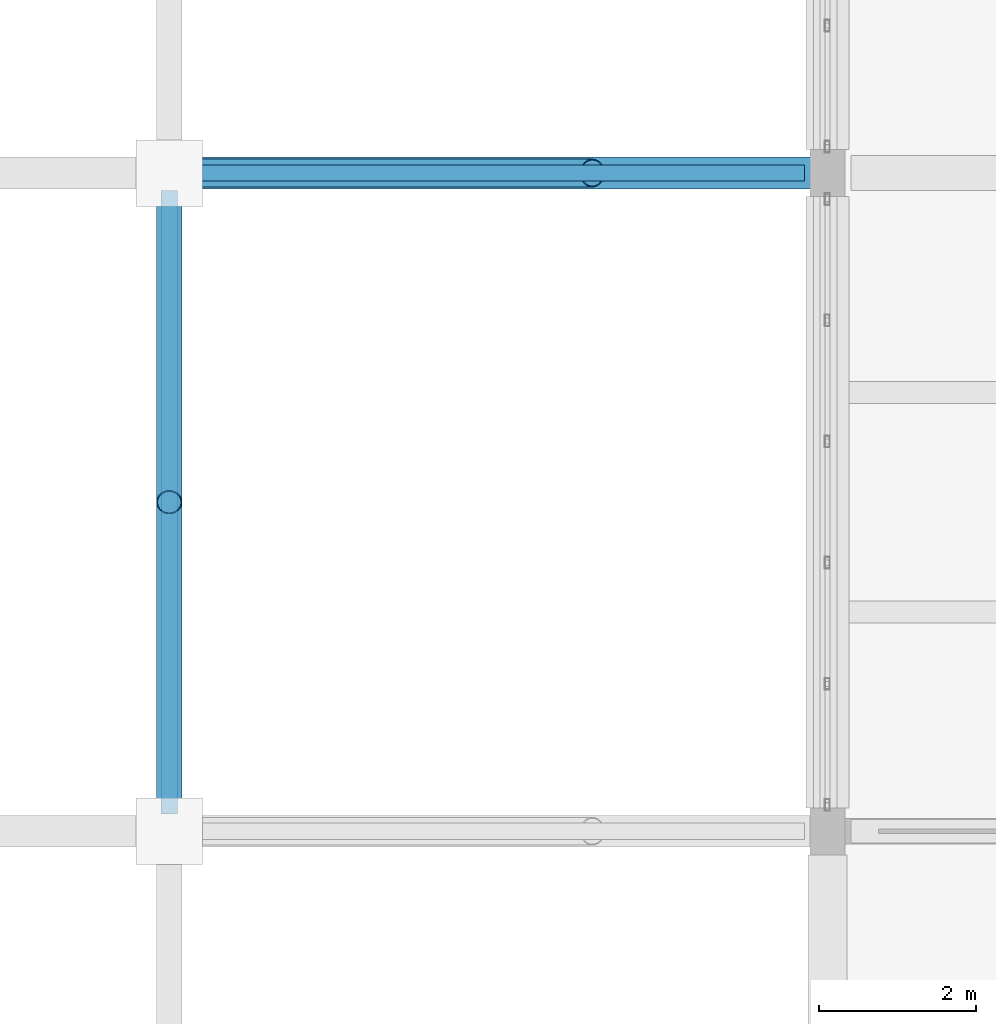
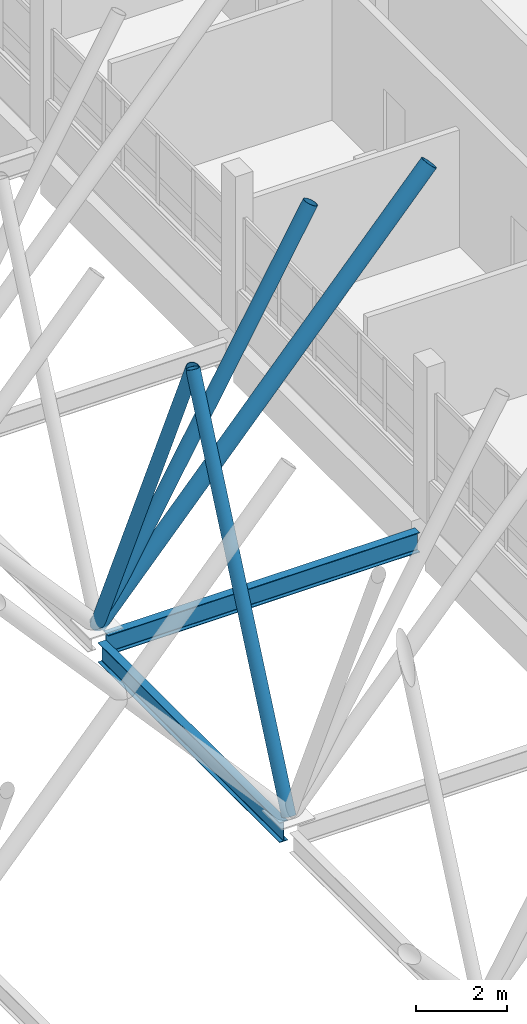
# One storey, part 12 of 107: 4 members, 2 beams.
"""IFC4 building model written with IfcOpenShell, lengths in metres."""

from ifc_helpers import new_model, si_unit, direction, frame, origin, origin_2d, place, context, subcontext, project, spatial, hollow_circle, i_section, extrude, material, material_profile, profile_set, type_object, element, save


model = new_model("IFC4")

# Units and contexts
model_context = context("Model", 3, precision=1e-05, world=origin(), true_north=direction((0.0, 1.0)))
body_context = subcontext(model_context, "Body", "Model", "MODEL_VIEW")
ifc_project = project(units=[si_unit("LENGTHUNIT", "METRE"), si_unit("AREAUNIT", "SQUARE_METRE"), si_unit("VOLUMEUNIT", "CUBIC_METRE"), si_unit("PLANEANGLEUNIT", "RADIAN"), si_unit("MASSUNIT", "GRAM", prefix="KILO")], contexts=[model_context])

# Site, building, storey
site_placement = place(None, origin())
site = spatial("IfcSite", under=ifc_project, at=site_placement, CompositionType="ELEMENT")
building_placement = place(site_placement, origin())
building = spatial("IfcBuilding", under=site, at=building_placement, Name="Vireocrest Preparatory School", CompositionType="ELEMENT")
storey_placement = place(building_placement, frame((0.0, 0.0, 13.199951171875)))
storey = spatial("IfcBuildingStorey", under=building, at=storey_placement, Name="L03", CompositionType="ELEMENT", Elevation=13.199951171875)

# Beams
ifc_material_1 = material(Name="Structural steel ASTM A992 Grade 50", Category="steel")
ifc_material_profile_1 = material_profile(ifc_material_1, i_section(OverallWidth=0.208984375, OverallDepth=0.532958984375, WebThickness=0.01025390625, FlangeThickness=0.015625, FilletRadius=0.014892578125, at=origin_2d()), Name="W21X62")
ifc_profile_set_1 = profile_set([ifc_material_profile_1], Name="Structural steel ASTM A992 Grade 50")
beam_type = type_object("IfcBeamType", Name="Court Tie Girder W21X62", PredefinedType="BEAM", material=ifc_profile_set_1)
beam_1_placement = place(storey_placement, frame((84.2236328125, 43.800048828125, -0.56640625), z_axis=(1.0, 0.0, 0.0), x_axis=(0.0, 1.0, 0.0)))
element("IfcBeam", 1, at=beam_1_placement, inside=storey, type_object=beam_type, Name="Court Trunk Lateral Tie Girder SB5 E3 L03", PredefinedType="BEAM", context=body_context, shape_type="SweptSolid", body=[
    extrude(i_section(OverallWidth=0.208984375, OverallDepth=0.532958984375, WebThickness=0.01025390625, FlangeThickness=0.015625, FilletRadius=0.014892578125, at=origin_2d()), origin(), (0.0, 0.0, 1.0), 7.88134765625),
])
beam_2_placement = place(storey_placement, frame((84.0, 35.6201171875, -0.56640625), z_axis=(0.0, 1.0, 0.0), x_axis=(-1.0, 0.0, 0.0)))
element("IfcBeam", 2, at=beam_2_placement, inside=storey, type_object=beam_type, Name="Court Trunk Spine Girder SB5 E2 L03", PredefinedType="BEAM", context=body_context, shape_type="SweptSolid", body=[
    extrude(i_section(OverallWidth=0.208984375, OverallDepth=0.532958984375, WebThickness=0.01025390625, FlangeThickness=0.015625, FilletRadius=0.014892578125, at=origin_2d()), origin(), (0.0, 0.0, 1.0), 7.9599609375),
])

# Members
ifc_material_2 = material(Name="Painted white steel ASTM A500 Grade C", Category="steel")
ifc_material_profile_2 = material_profile(ifc_material_2, hollow_circle(Radius=0.161865234375, WallThickness=0.0126953125, at=origin_2d()), Name="HSS12.750X0.500")
ifc_profile_set_2 = profile_set([ifc_material_profile_2], Name="Painted white steel ASTM A500 Grade C")
member_type_1 = type_object("IfcMemberType", Name="White Steel Canopy Tie Strut HSS12.750X0.500", PredefinedType="USERDEFINED", material=ifc_profile_set_2)
member_1_placement = place(storey_placement, frame((84.0, 35.39990234375, -0.0048828125), z_axis=(0.0, 0.40723631313, 0.913322826425), x_axis=(-1.0, 0.0, 0.0)))
element("IfcMember", 3, at=member_1_placement, inside=storey, type_object=member_type_1, Name="Longitudinal V-Strut VS2 E2-N", ObjectType="STRUT", PredefinedType="USERDEFINED", context=body_context, shape_type="SweptSolid", body=[
    extrude(hollow_circle(Radius=0.161865234375, WallThickness=0.0126953125, at=origin_2d()), origin(), (0.0, 0.0, 1.0), 10.31396484375),
])
member_2_placement = place(storey_placement, frame((84.0, 43.800048828125, -0.0048828125), z_axis=(0.0, -0.407216567456, 0.913331630455), x_axis=(1.0, 0.0, 0.0)))
element("IfcMember", 4, at=member_2_placement, inside=storey, type_object=member_type_1, Name="Longitudinal V-Strut VS2 E3-S", ObjectType="STRUT", PredefinedType="USERDEFINED", context=body_context, shape_type="SweptSolid", body=[
    extrude(hollow_circle(Radius=0.161865234375, WallThickness=0.0126953125, at=origin_2d()), origin(), (0.0, 0.0, 1.0), 10.313720703125),
])
ifc_material_profile_3 = material_profile(ifc_material_2, hollow_circle(Radius=0.177734375, WallThickness=0.0126953125, at=origin_2d()), Name="HSS14.000X0.500")
ifc_profile_set_3 = profile_set([ifc_material_profile_3], Name="Painted white steel ASTM A500 Grade C")
member_type_2 = type_object("IfcMemberType", Name="White Steel Canopy V-Strut HSS14.000X0.500", PredefinedType="USERDEFINED", material=ifc_profile_set_3)
member_3_placement = place(storey_placement, frame((84.0, 43.800048828125, -0.010009765625), z_axis=(0.496917813622, 0.0, 0.867797606879), x_axis=(0.0, 1.0, 0.0)))
element("IfcMember", 5, at=member_3_placement, inside=storey, type_object=member_type_2, Name="White Steel V-Strut VS1 E3", ObjectType="STRUT", PredefinedType="USERDEFINED", context=body_context, shape_type="SweptSolid", body=[
    extrude(hollow_circle(Radius=0.177734375, WallThickness=0.0126953125, at=origin_2d()), origin(), (0.0, 0.0, 1.0), 10.86669921875),
])
ifc_material_profile_4 = material_profile(ifc_material_2, hollow_circle(Radius=0.203125, WallThickness=0.0126953125, at=origin_2d()), Name="HSS16.000X0.500")
ifc_profile_set_4 = profile_set([ifc_material_profile_4], Name="Painted white steel ASTM A500 Grade C")
member_type_3 = type_object("IfcMemberType", Name="White Steel V-Column Branch HSS16.000X0.500", PredefinedType="USERDEFINED", material=ifc_profile_set_4)
member_4_placement = place(storey_placement, frame((84.0, 43.800048828125, -0.010009765625), z_axis=(0.665138630213, 0.0, 0.746719895676), x_axis=(0.0, 1.0, 0.0)))
element("IfcMember", 6, at=member_4_placement, inside=storey, type_object=member_type_3, Name="White Steel V-Column Branch VC3 E3-A2", ObjectType="STRUT", PredefinedType="USERDEFINED", context=body_context, shape_type="SweptSolid", body=[
    extrude(hollow_circle(Radius=0.203125, WallThickness=0.0126953125, at=origin_2d()), origin(), (0.0, 0.0, 1.0), 12.62890625),
])

save(model, "model.ifc")
